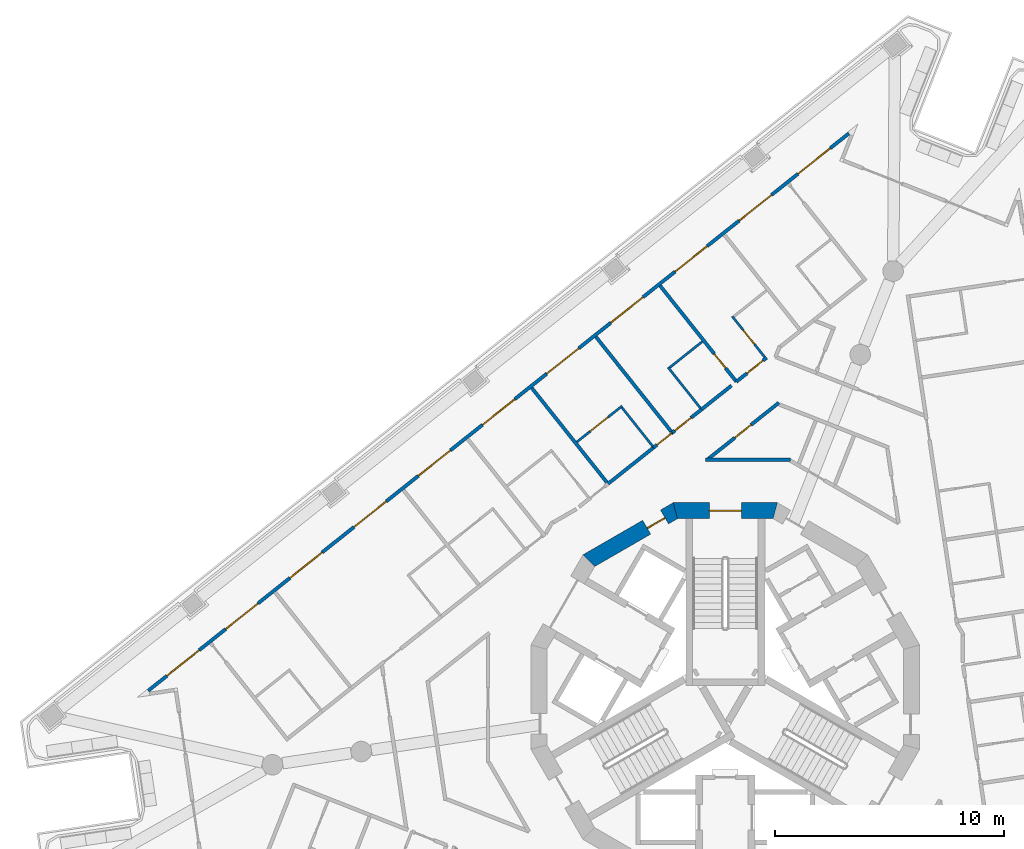
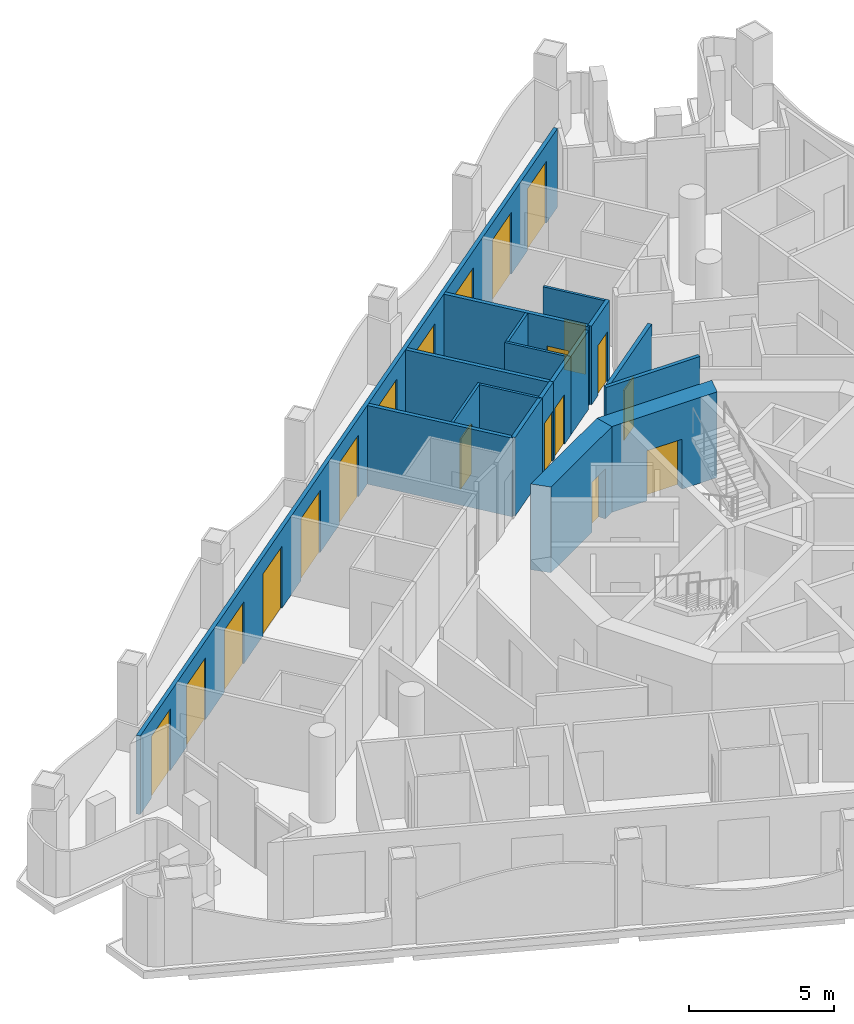
# One storey, part 8 of 17: 20 doors, 18 walls, 20 openings.
"""IFC4 building model written with IfcOpenShell, lengths in metres."""

from ifc_helpers import new_model, si_unit, direction, frame, frame_2d, origin, place, context, subcontext, project, spatial, polyline, rectangle, outline, extrude, material, layer, layer_set, type_object, element, fill, save


model = new_model("IFC4")

# Units and contexts
model_context = context("Model", 3, precision=1e-05, world=origin(), true_north=direction((0.0, 1.0)))
body_context = subcontext(model_context, "Body", "Model", "MODEL_VIEW")
ifc_project = project(units=[si_unit("LENGTHUNIT", "METRE"), si_unit("AREAUNIT", "SQUARE_METRE"), si_unit("VOLUMEUNIT", "CUBIC_METRE"), si_unit("PLANEANGLEUNIT", "RADIAN"), si_unit("MASSUNIT", "GRAM", prefix="KILO")], contexts=[model_context])

# Site, building, storey
site_placement = place(None, origin())
site = spatial("IfcSite", under=ifc_project, at=site_placement, CompositionType="ELEMENT")
building_placement = place(site_placement, origin())
building = spatial("IfcBuilding", under=site, at=building_placement, Name="Trine Commons Tower", CompositionType="ELEMENT")
storey_placement = place(building_placement, frame((0.0, 0.0, 212.39990234375)))
storey = spatial("IfcBuildingStorey", under=building, at=storey_placement, Name="L55", CompositionType="ELEMENT", Elevation=212.39990234375)

# Wall, openings, doors
ifc_material_1 = material(Name="Aluminium-framed insulated wall panel", Category="aluminium")
ifc_layer_1 = layer(ifc_material_1, 0.14990234375)
ifc_layer_set_1 = layer_set([ifc_layer_1], Name="Aluminium-framed insulated wall panel")
wall_type_1 = type_object("IfcWallType", Name="Glazed frame wall 150, EI 60", PredefinedType="SOLIDWALL", material=ifc_layer_set_1)
wall_1_placement = place(storey_placement, frame((54.650634765625, 62.685546875, 0.0), z_axis=(0.0, 0.0, 1.0), x_axis=(0.782609620341, 0.622512796776, 0.0)))
wall_1 = element("IfcWall", 1, at=wall_1_placement, inside=storey, type_object=wall_type_1, Name="Glazed frame wall F1", PredefinedType="SOLIDWALL", context=body_context, shape_type="SweptSolid", body=[
    extrude(outline(polyline([(0.1494140625, 0.074951171875), (0.1494140625, -0.074951171875), (39.296875, -0.074951171875), (39.296875, 0.074951171875), (0.1494140625, 0.074951171875)])), origin(), (0.0, 0.0, 1.0), 3.300048828125),
])
opening_1_placement = place(wall_1_placement, frame((1.193115234375, 0.0, 0.0)))
opening_1 = element("IfcOpeningElement", 2, at=opening_1_placement, cuts=wall_1, Name="Opening BD-6F1-01", PredefinedType="OPENING", context=body_context, shape_type="SweptSolid", body=[
    extrude(rectangle(XDim=1.800048828125, YDim=2.60009765625, at=frame_2d((0.89990234375, 1.300048828125))), frame((0.0, 0.0849609375, 0.0), z_axis=(0.0, -1.0, 0.0), x_axis=(1.0, 0.0, 0.0)), (0.0, 0.0, 1.0), 0.169921875),
])
opening_2_placement = place(wall_1_placement, frame((4.47900390625, 0.0, 0.0)))
opening_2 = element("IfcOpeningElement", 3, at=opening_2_placement, cuts=wall_1, Name="Opening BD-6F1-02", PredefinedType="OPENING", context=body_context, shape_type="SweptSolid", body=[
    extrude(rectangle(XDim=1.800048828125, YDim=2.60009765625, at=frame_2d((0.89990234375, 1.300048828125))), frame((0.0, 0.0849609375, 0.0), z_axis=(0.0, -1.0, 0.0), x_axis=(1.0, 0.0, 0.0)), (0.0, 0.0, 1.0), 0.169921875),
])
opening_3_placement = place(wall_1_placement, frame((8.06494140625, 0.0, 0.0)))
opening_3 = element("IfcOpeningElement", 4, at=opening_3_placement, cuts=wall_1, Name="Opening BD-6F1-03", PredefinedType="OPENING", context=body_context, shape_type="SweptSolid", body=[
    extrude(rectangle(XDim=1.800048828125, YDim=2.60009765625, at=frame_2d((0.89990234375, 1.300048828125))), frame((0.0, 0.0849609375, 0.0), z_axis=(0.0, -1.0, 0.0), x_axis=(1.0, 0.0, 0.0)), (0.0, 0.0, 1.0), 0.169921875),
])
opening_4_placement = place(wall_1_placement, frame((11.65087890625, 0.0, 0.0)))
opening_4 = element("IfcOpeningElement", 5, at=opening_4_placement, cuts=wall_1, Name="Opening BD-6F1-04", PredefinedType="OPENING", context=body_context, shape_type="SweptSolid", body=[
    extrude(rectangle(XDim=1.800048828125, YDim=2.60009765625, at=frame_2d((0.89990234375, 1.300048828125))), frame((0.0, 0.0849609375, 0.0), z_axis=(0.0, -1.0, 0.0), x_axis=(1.0, 0.0, 0.0)), (0.0, 0.0, 1.0), 0.169921875),
])
opening_5_placement = place(wall_1_placement, frame((15.237060546875, 0.0, 0.0)))
opening_5 = element("IfcOpeningElement", 6, at=opening_5_placement, cuts=wall_1, Name="Opening BD-6F1-05", PredefinedType="OPENING", context=body_context, shape_type="SweptSolid", body=[
    extrude(rectangle(XDim=1.800048828125, YDim=2.60009765625, at=frame_2d((0.89990234375, 1.300048828125))), frame((0.0, 0.0849609375, 0.0), z_axis=(0.0, -1.0, 0.0), x_axis=(1.0, 0.0, 0.0)), (0.0, 0.0, 1.0), 0.169921875),
])
opening_6_placement = place(wall_1_placement, frame((18.822998046875, 0.0, 0.0)))
opening_6 = element("IfcOpeningElement", 7, at=opening_6_placement, cuts=wall_1, Name="Opening BD-6F1-06", PredefinedType="OPENING", context=body_context, shape_type="SweptSolid", body=[
    extrude(rectangle(XDim=1.800048828125, YDim=2.60009765625, at=frame_2d((0.89990234375, 1.300048828125))), frame((0.0, 0.0849609375, 0.0), z_axis=(0.0, -1.0, 0.0), x_axis=(1.0, 0.0, 0.0)), (0.0, 0.0, 1.0), 0.169921875),
])
opening_7_placement = place(wall_1_placement, frame((22.408935546875, 0.0, 0.0)))
opening_7 = element("IfcOpeningElement", 8, at=opening_7_placement, cuts=wall_1, Name="Opening BD-6F1-07", PredefinedType="OPENING", context=body_context, shape_type="SweptSolid", body=[
    extrude(rectangle(XDim=1.800048828125, YDim=2.60009765625, at=frame_2d((0.89990234375, 1.300048828125))), frame((0.0, 0.0849609375, 0.0), z_axis=(0.0, -1.0, 0.0), x_axis=(1.0, 0.0, 0.0)), (0.0, 0.0, 1.0), 0.169921875),
])
opening_8_placement = place(wall_1_placement, frame((25.9951171875, 0.0, 0.0)))
opening_8 = element("IfcOpeningElement", 9, at=opening_8_placement, cuts=wall_1, Name="Opening BD-6F1-08", PredefinedType="OPENING", context=body_context, shape_type="SweptSolid", body=[
    extrude(rectangle(XDim=1.800048828125, YDim=2.60009765625, at=frame_2d((0.89990234375, 1.300048828125))), frame((0.0, 0.0849609375, 0.0), z_axis=(0.0, -1.0, 0.0), x_axis=(1.0, 0.0, 0.0)), (0.0, 0.0, 1.0), 0.169921875),
])
opening_9_placement = place(wall_1_placement, frame((29.5810546875, 0.0, 0.0)))
opening_9 = element("IfcOpeningElement", 10, at=opening_9_placement, cuts=wall_1, Name="Opening BD-6F1-09", PredefinedType="OPENING", context=body_context, shape_type="SweptSolid", body=[
    extrude(rectangle(XDim=1.800048828125, YDim=2.60009765625, at=frame_2d((0.89990234375, 1.300048828125))), frame((0.0, 0.0849609375, 0.0), z_axis=(0.0, -1.0, 0.0), x_axis=(1.0, 0.0, 0.0)), (0.0, 0.0, 1.0), 0.169921875),
])
opening_10_placement = place(wall_1_placement, frame((33.1669921875, 0.0, 0.0)))
opening_10 = element("IfcOpeningElement", 11, at=opening_10_placement, cuts=wall_1, Name="Opening BD-6F1-10", PredefinedType="OPENING", context=body_context, shape_type="SweptSolid", body=[
    extrude(rectangle(XDim=1.800048828125, YDim=2.60009765625, at=frame_2d((0.89990234375, 1.300048828125))), frame((0.0, 0.0849609375, 0.0), z_axis=(0.0, -1.0, 0.0), x_axis=(1.0, 0.0, 0.0)), (0.0, 0.0, 1.0), 0.169921875),
])
opening_11_placement = place(wall_1_placement, frame((36.452880859375, 0.0, 0.0)))
opening_11 = element("IfcOpeningElement", 12, at=opening_11_placement, cuts=wall_1, Name="Opening BD-6F1-11", PredefinedType="OPENING", context=body_context, shape_type="SweptSolid", body=[
    extrude(rectangle(XDim=1.800048828125, YDim=2.60009765625, at=frame_2d((0.89990234375, 1.300048828125))), frame((0.0, 0.0849609375, 0.0), z_axis=(0.0, -1.0, 0.0), x_axis=(1.0, 0.0, 0.0)), (0.0, 0.0, 1.0), 0.169921875),
])
ifc_material_2 = material(Name="Anodised aluminium frame with double glazing", Category="aluminium")
door_type_1 = type_object("IfcDoorType", Name="Sliding loggia door 1800x2600", OperationType="SLIDING_TO_LEFT", PredefinedType="DOOR", material=ifc_material_2)
door_1_placement = place(opening_1_placement, origin())
door_1 = element("IfcDoor", 13, at=door_1_placement, inside=storey, type_object=door_type_1, Name="Loggia door F1 1", OperationType="SLIDING_TO_LEFT", OverallHeight=2.60009765625, OverallWidth=1.800048828125, PredefinedType="DOOR", context=body_context, shape_type="SweptSolid", body=[
    extrude(rectangle(XDim=1.800048828125, YDim=2.60009765625, at=frame_2d((0.89990234375, 1.300048828125))), frame((0.0, 0.02490234375, 0.0), z_axis=(0.0, -1.0, 0.0), x_axis=(1.0, 0.0, 0.0)), (0.0, 0.0, 1.0), 0.050048828125),
])
fill(opening_1, door_1)
door_2_placement = place(opening_2_placement, origin())
door_2 = element("IfcDoor", 14, at=door_2_placement, inside=storey, type_object=door_type_1, Name="Loggia door F1 2", OperationType="SLIDING_TO_LEFT", OverallHeight=2.60009765625, OverallWidth=1.800048828125, PredefinedType="DOOR", context=body_context, shape_type="SweptSolid", body=[
    extrude(rectangle(XDim=1.800048828125, YDim=2.60009765625, at=frame_2d((0.89990234375, 1.300048828125))), frame((0.0, 0.02490234375, 0.0), z_axis=(0.0, -1.0, 0.0), x_axis=(1.0, 0.0, 0.0)), (0.0, 0.0, 1.0), 0.050048828125),
])
fill(opening_2, door_2)
door_3_placement = place(opening_3_placement, origin())
door_3 = element("IfcDoor", 15, at=door_3_placement, inside=storey, type_object=door_type_1, Name="Loggia door F1 3", OperationType="SLIDING_TO_LEFT", OverallHeight=2.60009765625, OverallWidth=1.800048828125, PredefinedType="DOOR", context=body_context, shape_type="SweptSolid", body=[
    extrude(rectangle(XDim=1.800048828125, YDim=2.60009765625, at=frame_2d((0.89990234375, 1.300048828125))), frame((0.0, 0.02490234375, 0.0), z_axis=(0.0, -1.0, 0.0), x_axis=(1.0, 0.0, 0.0)), (0.0, 0.0, 1.0), 0.050048828125),
])
fill(opening_3, door_3)
door_4_placement = place(opening_4_placement, origin())
door_4 = element("IfcDoor", 16, at=door_4_placement, inside=storey, type_object=door_type_1, Name="Loggia door F1 4", OperationType="SLIDING_TO_LEFT", OverallHeight=2.60009765625, OverallWidth=1.800048828125, PredefinedType="DOOR", context=body_context, shape_type="SweptSolid", body=[
    extrude(rectangle(XDim=1.800048828125, YDim=2.60009765625, at=frame_2d((0.89990234375, 1.300048828125))), frame((0.0, 0.02490234375, 0.0), z_axis=(0.0, -1.0, 0.0), x_axis=(1.0, 0.0, 0.0)), (0.0, 0.0, 1.0), 0.050048828125),
])
fill(opening_4, door_4)
door_5_placement = place(opening_5_placement, origin())
door_5 = element("IfcDoor", 17, at=door_5_placement, inside=storey, type_object=door_type_1, Name="Loggia door F1 5", OperationType="SLIDING_TO_LEFT", OverallHeight=2.60009765625, OverallWidth=1.800048828125, PredefinedType="DOOR", context=body_context, shape_type="SweptSolid", body=[
    extrude(rectangle(XDim=1.800048828125, YDim=2.60009765625, at=frame_2d((0.89990234375, 1.300048828125))), frame((0.0, 0.02490234375, 0.0), z_axis=(0.0, -1.0, 0.0), x_axis=(1.0, 0.0, 0.0)), (0.0, 0.0, 1.0), 0.050048828125),
])
fill(opening_5, door_5)
door_6_placement = place(opening_6_placement, origin())
door_6 = element("IfcDoor", 18, at=door_6_placement, inside=storey, type_object=door_type_1, Name="Loggia door F1 6", OperationType="SLIDING_TO_LEFT", OverallHeight=2.60009765625, OverallWidth=1.800048828125, PredefinedType="DOOR", context=body_context, shape_type="SweptSolid", body=[
    extrude(rectangle(XDim=1.800048828125, YDim=2.60009765625, at=frame_2d((0.89990234375, 1.300048828125))), frame((0.0, 0.02490234375, 0.0), z_axis=(0.0, -1.0, 0.0), x_axis=(1.0, 0.0, 0.0)), (0.0, 0.0, 1.0), 0.050048828125),
])
fill(opening_6, door_6)
door_7_placement = place(opening_7_placement, origin())
door_7 = element("IfcDoor", 19, at=door_7_placement, inside=storey, type_object=door_type_1, Name="Loggia door F1 7", OperationType="SLIDING_TO_LEFT", OverallHeight=2.60009765625, OverallWidth=1.800048828125, PredefinedType="DOOR", context=body_context, shape_type="SweptSolid", body=[
    extrude(rectangle(XDim=1.800048828125, YDim=2.60009765625, at=frame_2d((0.89990234375, 1.300048828125))), frame((0.0, 0.02490234375, 0.0), z_axis=(0.0, -1.0, 0.0), x_axis=(1.0, 0.0, 0.0)), (0.0, 0.0, 1.0), 0.050048828125),
])
fill(opening_7, door_7)
door_8_placement = place(opening_8_placement, origin())
door_8 = element("IfcDoor", 20, at=door_8_placement, inside=storey, type_object=door_type_1, Name="Loggia door F1 8", OperationType="SLIDING_TO_LEFT", OverallHeight=2.60009765625, OverallWidth=1.800048828125, PredefinedType="DOOR", context=body_context, shape_type="SweptSolid", body=[
    extrude(rectangle(XDim=1.800048828125, YDim=2.60009765625, at=frame_2d((0.89990234375, 1.300048828125))), frame((0.0, 0.02490234375, 0.0), z_axis=(0.0, -1.0, 0.0), x_axis=(1.0, 0.0, 0.0)), (0.0, 0.0, 1.0), 0.050048828125),
])
fill(opening_8, door_8)
door_9_placement = place(opening_9_placement, origin())
door_9 = element("IfcDoor", 21, at=door_9_placement, inside=storey, type_object=door_type_1, Name="Loggia door F1 9", OperationType="SLIDING_TO_LEFT", OverallHeight=2.60009765625, OverallWidth=1.800048828125, PredefinedType="DOOR", context=body_context, shape_type="SweptSolid", body=[
    extrude(rectangle(XDim=1.800048828125, YDim=2.60009765625, at=frame_2d((0.89990234375, 1.300048828125))), frame((0.0, 0.02490234375, 0.0), z_axis=(0.0, -1.0, 0.0), x_axis=(1.0, 0.0, 0.0)), (0.0, 0.0, 1.0), 0.050048828125),
])
fill(opening_9, door_9)
door_10_placement = place(opening_10_placement, origin())
door_10 = element("IfcDoor", 22, at=door_10_placement, inside=storey, type_object=door_type_1, Name="Loggia door F1 10", OperationType="SLIDING_TO_LEFT", OverallHeight=2.60009765625, OverallWidth=1.800048828125, PredefinedType="DOOR", context=body_context, shape_type="SweptSolid", body=[
    extrude(rectangle(XDim=1.800048828125, YDim=2.60009765625, at=frame_2d((0.89990234375, 1.300048828125))), frame((0.0, 0.02490234375, 0.0), z_axis=(0.0, -1.0, 0.0), x_axis=(1.0, 0.0, 0.0)), (0.0, 0.0, 1.0), 0.050048828125),
])
fill(opening_10, door_10)
door_11_placement = place(opening_11_placement, origin())
door_11 = element("IfcDoor", 23, at=door_11_placement, inside=storey, type_object=door_type_1, Name="Loggia door F1 11", OperationType="SLIDING_TO_LEFT", OverallHeight=2.60009765625, OverallWidth=1.800048828125, PredefinedType="DOOR", context=body_context, shape_type="SweptSolid", body=[
    extrude(rectangle(XDim=1.800048828125, YDim=2.60009765625, at=frame_2d((0.89990234375, 1.300048828125))), frame((0.0, 0.02490234375, 0.0), z_axis=(0.0, -1.0, 0.0), x_axis=(1.0, 0.0, 0.0)), (0.0, 0.0, 1.0), 0.050048828125),
])
fill(opening_11, door_11)

# Wall, opening, door
ifc_material_3 = material(Name="Concrete C60/75", Category="concrete")
ifc_layer_2 = layer(ifc_material_3, 0.699951171875)
ifc_layer_set_2 = layer_set([ifc_layer_2], Name="Concrete C60/75")
wall_type_2 = type_object("IfcWallType", Name="RC shear wall 700 mm, C60/75", PredefinedType="SHEAR", material=ifc_layer_set_2)
wall_2_placement = place(storey_placement, frame((82.277587890625, 70.650146484375, 0.0), z_axis=(0.0, 0.0, 1.0), x_axis=(-1.0, 0.0, 0.0)))
wall_2 = element("IfcWall", 24, at=wall_2_placement, inside=storey, type_object=wall_type_2, Name="Core wall CWF-04 L55", PredefinedType="SHEAR", context=body_context, shape_type="SweptSolid", body=[
    extrude(outline(polyline([(0.0, -0.35009765625), (4.55517578125, -0.35009765625), (4.36767578125, 0.35009765625), (0.1875, 0.35009765625), (0.0, -0.35009765625)])), origin(), (0.0, 0.0, 1.0), 3.60009765625),
])
opening_12_placement = place(wall_2_placement, frame((1.57763671875, 0.0, 0.0)))
opening_12 = element("IfcOpeningElement", 25, at=opening_12_placement, cuts=wall_2, Name="Opening K15.01", PredefinedType="OPENING", context=body_context, shape_type="SweptSolid", body=[
    extrude(rectangle(XDim=1.39990234375, YDim=2.10009765625, at=frame_2d((0.699951171875, 1.050048828125))), frame((0.0, 0.35986328125, 0.0), z_axis=(0.0, -1.0, 0.0), x_axis=(1.0, 0.0, 0.0)), (0.0, 0.0, 1.0), 0.719970703125),
])
ifc_material_4 = material(Name="Steel door leaves, fire-rated", Category="steel")
door_type_2 = type_object("IfcDoorType", Name="Stair door, double leaf 1400 x 2100, FD90", OperationType="DOUBLE_DOOR_SINGLE_SWING", PredefinedType="DOOR", material=ifc_material_4)
door_12_placement = place(opening_12_placement, origin())
door_12 = element("IfcDoor", 26, at=door_12_placement, inside=storey, type_object=door_type_2, Name="Stair door to Exit stair ST1C L55", OperationType="DOUBLE_DOOR_SINGLE_SWING", OverallHeight=2.10009765625, OverallWidth=1.39990234375, PredefinedType="DOOR", context=body_context, shape_type="SweptSolid", body=[
    extrude(rectangle(XDim=1.39990234375, YDim=2.10009765625, at=frame_2d((0.699951171875, 1.050048828125))), frame((0.0, 0.02490234375, 0.0), z_axis=(0.0, -1.0, 0.0), x_axis=(1.0, 0.0, 0.0)), (0.0, 0.0, 1.0), 0.050048828125),
])
fill(opening_12, door_12)

wall_3_placement = place(storey_placement, frame((77.8974609375, 70.697021484375, 0.0), z_axis=(0.0, 0.0, 1.0), x_axis=(-0.866034756103, -0.499983800959, 0.0)))
wall_3 = element("IfcWall", 27, at=wall_3_placement, inside=storey, type_object=wall_type_2, Name="Core wall CWF-05 L55", PredefinedType="SHEAR", context=body_context, shape_type="SweptSolid", body=[
    extrude(outline(polyline([(0.0, -0.35009765625), (4.55517578125, -0.35009765625), (4.36767578125, 0.35009765625), (0.1875, 0.35009765625), (0.0, -0.35009765625)])), origin(), (0.0, 0.0, 1.0), 3.60009765625),
])
opening_13_placement = place(wall_3_placement, frame((0.641845703125, 0.0, 0.0)))
opening_13 = element("IfcOpeningElement", 28, at=opening_13_placement, cuts=wall_3, Name="Opening K15.15", PredefinedType="OPENING", context=body_context, shape_type="SweptSolid", body=[
    extrude(rectangle(XDim=0.89990234375, YDim=2.10009765625, at=frame_2d((0.449951171875, 1.050048828125))), frame((0.0, 0.35986328125, 0.0), z_axis=(0.0, -1.0, 0.0), x_axis=(1.0, 0.0, 0.0)), (0.0, 0.0, 1.0), 0.719970703125),
])
ifc_material_5 = material(Name="Steel door leaf, fire-rated", Category="steel")
door_type_3 = type_object("IfcDoorType", Name="Core room door, single leaf 900 x 2100, FD30S", OperationType="SINGLE_SWING_LEFT", PredefinedType="DOOR", material=ifc_material_5)
door_13_placement = place(opening_13_placement, origin())
door_13 = element("IfcDoor", 29, at=door_13_placement, inside=storey, type_object=door_type_3, Name="Door to Accessible WC L55", OperationType="SINGLE_SWING_LEFT", OverallHeight=2.10009765625, OverallWidth=0.89990234375, PredefinedType="DOOR", context=body_context, shape_type="SweptSolid", body=[
    extrude(rectangle(XDim=0.89990234375, YDim=2.10009765625, at=frame_2d((0.449951171875, 1.050048828125))), frame((0.0, 0.0751953125, 0.0), z_axis=(0.0, -1.0, 0.0), x_axis=(1.0, 0.0, 0.0)), (0.0, 0.0, 1.0), 0.050048828125),
])
fill(opening_13, door_13)

# Walls
ifc_material_6 = material(Name="Gypsum plasterboard on steel stud", Category="steel")
ifc_layer_3 = layer(ifc_material_6, 0.14990234375)
ifc_layer_set_3 = layer_set([ifc_layer_3], Name="Gypsum plasterboard on steel stud")
wall_type_3 = type_object("IfcWallType", Name="Unit and corridor wall 150 mm, EI 60", PredefinedType="PARTITIONING", material=ifc_layer_set_3)
wall_4_placement = place(storey_placement, frame((71.535888671875, 76.020751953125, 0.0), z_axis=(0.0, 0.0, 1.0), x_axis=(0.622565407695, -0.782567769041, 0.0)))
element("IfcWall", 30, at=wall_4_placement, inside=storey, type_object=wall_type_3, Name="Partition 037", PredefinedType="PARTITIONING", context=body_context, shape_type="SweptSolid", body=[
    extrude(rectangle(XDim=5.3603515625, YDim=0.14990234375, at=frame_2d((2.68017578125, 0.0))), origin(), (0.0, 0.0, 1.0), 3.300048828125),
])
wall_5_placement = place(storey_placement, frame((74.343017578125, 78.252685546875, 0.0), z_axis=(0.0, 0.0, 1.0), x_axis=(0.622444463897, -0.782663969634, 0.0)))
element("IfcWall", 31, at=wall_5_placement, inside=storey, type_object=wall_type_3, Name="Partition 047", PredefinedType="PARTITIONING", context=body_context, shape_type="SweptSolid", body=[
    extrude(rectangle(XDim=5.284423828125, YDim=0.14990234375, at=frame_2d((2.64208984375, 0.0))), origin(), (0.0, 0.0, 1.0), 3.300048828125),
])
wall_6_placement = place(storey_placement, frame((74.8701171875, 71.823974609375, 0.0), z_axis=(0.0, 0.0, 1.0), x_axis=(0.782719471112, 0.622374669746, 0.0)))
element("IfcWall", 32, at=wall_6_placement, inside=storey, type_object=wall_type_3, Name="Partition 048", PredefinedType="PARTITIONING", context=body_context, shape_type="SweptSolid", body=[
    extrude(rectangle(XDim=2.556396484375, YDim=0.14990234375, at=frame_2d((1.2783203125, 0.0))), origin(), (0.0, 0.0, 1.0), 3.300048828125),
])

# Wall, opening, door
wall_7_placement = place(storey_placement, frame((76.864990234375, 73.410888671875, 0.0), z_axis=(0.0, 0.0, 1.0), x_axis=(0.782896309119, 0.622152207396, 0.0)))
wall_7 = element("IfcWall", 33, at=wall_7_placement, inside=storey, type_object=wall_type_3, Name="Partition 052", PredefinedType="PARTITIONING", context=body_context, shape_type="SweptSolid", body=[
    extrude(rectangle(XDim=1.04345703125, YDim=0.14990234375, at=frame_2d((0.521728515625, 0.0))), origin(), (0.0, 0.0, 1.0), 3.300048828125),
])
opening_14_placement = place(wall_7_placement, frame((0.189697265625, 0.0, 0.0)))
opening_14 = element("IfcOpeningElement", 34, at=opening_14_placement, cuts=wall_7, Name="Opening D-6B09", PredefinedType="OPENING", context=body_context, shape_type="SweptSolid", body=[
    extrude(rectangle(XDim=0.800048828125, YDim=2.10009765625, at=frame_2d((0.39990234375, 1.050048828125))), frame((0.0, 0.0849609375, 0.0), z_axis=(0.0, -1.0, 0.0), x_axis=(1.0, 0.0, 0.0)), (0.0, 0.0, 1.0), 0.169921875),
])
ifc_material_7 = material(Name="Timber fire door set", Category="wood")
door_type_4 = type_object("IfcDoorType", Name="Bedroom door 800 x 2100, FD30S", OperationType="NOTDEFINED", PredefinedType="DOOR", material=ifc_material_7)
door_14_placement = place(opening_14_placement, origin())
door_14 = element("IfcDoor", 35, at=door_14_placement, inside=storey, type_object=door_type_4, Name="Door D-6B09", OperationType="SINGLE_SWING_RIGHT", OverallHeight=2.10009765625, OverallWidth=0.800048828125, PredefinedType="DOOR", context=body_context, shape_type="SweptSolid", body=[
    extrude(rectangle(XDim=0.800048828125, YDim=2.10009765625, at=frame_2d((0.39990234375, 1.050048828125))), frame((0.0, 0.02490234375, 0.0), z_axis=(0.0, -1.0, 0.0), x_axis=(1.0, 0.0, 0.0)), (0.0, 0.0, 1.0), 0.050048828125),
])
fill(opening_14, door_14)

wall_8_placement = place(storey_placement, frame((77.14892578125, 80.485595703125, 0.0), z_axis=(0.0, 0.0, 1.0), x_axis=(0.622587598128, -0.782550115109, 0.0)))
wall_8 = element("IfcWall", 36, at=wall_8_placement, inside=storey, type_object=wall_type_3, Name="Partition 055", PredefinedType="PARTITIONING", context=body_context, shape_type="SweptSolid", body=[
    extrude(rectangle(XDim=5.360107421875, YDim=0.14990234375, at=frame_2d((2.68017578125, 0.0))), origin(), (0.0, 0.0, 1.0), 3.300048828125),
])
opening_15_placement = place(wall_8_placement, frame((3.81005859375, 0.0, 0.0)))
opening_15 = element("IfcOpeningElement", 37, at=opening_15_placement, cuts=wall_8, Name="Opening D-6B40", PredefinedType="OPENING", context=body_context, shape_type="SweptSolid", body=[
    extrude(rectangle(XDim=0.800048828125, YDim=2.10009765625, at=frame_2d((0.39990234375, 1.050048828125))), frame((0.0, 0.0849609375, 0.0), z_axis=(0.0, -1.0, 0.0), x_axis=(1.0, 0.0, 0.0)), (0.0, 0.0, 1.0), 0.169921875),
])
ifc_material_8 = material(Name="Painted timber", Category="wood")
door_type_5 = type_object("IfcDoorType", Name="Internal door 800 x 2100, NOT RATED", OperationType="NOTDEFINED", PredefinedType="DOOR", material=ifc_material_8)
door_15_placement = place(opening_15_placement, origin())
door_15 = element("IfcDoor", 38, at=door_15_placement, inside=storey, type_object=door_type_5, Name="Door D-6B40", OperationType="SINGLE_SWING_RIGHT", OverallHeight=2.10009765625, OverallWidth=0.800048828125, PredefinedType="DOOR", context=body_context, shape_type="SweptSolid", body=[
    extrude(rectangle(XDim=0.800048828125, YDim=2.10009765625, at=frame_2d((0.39990234375, 1.050048828125))), frame((0.0, 0.02490234375, 0.0), z_axis=(0.0, -1.0, 0.0), x_axis=(1.0, 0.0, 0.0)), (0.0, 0.0, 1.0), 0.050048828125),
])
fill(opening_15, door_15)

wall_9_placement = place(storey_placement, frame((77.676025390625, 74.055908203125, 0.0), z_axis=(0.0, 0.0, 1.0), x_axis=(0.782734219596, 0.622356121102, 0.0)))
wall_9 = element("IfcWall", 39, at=wall_9_placement, inside=storey, type_object=wall_type_3, Name="Partition 059", PredefinedType="PARTITIONING", context=body_context, shape_type="SweptSolid", body=[
    extrude(rectangle(XDim=1.64404296875, YDim=0.14990234375, at=frame_2d((0.822021484375, 0.0))), origin(), (0.0, 0.0, 1.0), 3.300048828125),
])
opening_16_placement = place(wall_9_placement, frame((0.153564453125, 0.0, 0.0)))
opening_16 = element("IfcOpeningElement", 40, at=opening_16_placement, cuts=wall_9, Name="Opening D-6B10", PredefinedType="OPENING", context=body_context, shape_type="SweptSolid", body=[
    extrude(rectangle(XDim=0.89990234375, YDim=2.10009765625, at=frame_2d((0.449951171875, 1.050048828125))), frame((0.0, 0.0849609375, 0.0), z_axis=(0.0, -1.0, 0.0), x_axis=(1.0, 0.0, 0.0)), (0.0, 0.0, 1.0), 0.169921875),
])
door_type_6 = type_object("IfcDoorType", Name="Bedroom door 900 x 2100, FD30S", OperationType="NOTDEFINED", PredefinedType="DOOR", material=ifc_material_7)
door_16_placement = place(opening_16_placement, origin())
door_16 = element("IfcDoor", 41, at=door_16_placement, inside=storey, type_object=door_type_6, Name="Door D-6B10", OperationType="SINGLE_SWING_LEFT", OverallHeight=2.10009765625, OverallWidth=0.89990234375, PredefinedType="DOOR", context=body_context, shape_type="SweptSolid", body=[
    extrude(rectangle(XDim=0.89990234375, YDim=2.10009765625, at=frame_2d((0.449951171875, 1.050048828125))), frame((0.0, 0.02490234375, 0.0), z_axis=(0.0, -1.0, 0.0), x_axis=(1.0, 0.0, 0.0)), (0.0, 0.0, 1.0), 0.050048828125),
])
fill(opening_16, door_16)

# Walls
wall_10_placement = place(storey_placement, frame((78.95703125, 75.074951171875, 0.0), z_axis=(0.0, 0.0, 1.0), x_axis=(0.782797783459, 0.622276168764, 0.0)))
element("IfcWall", 42, at=wall_10_placement, inside=storey, type_object=wall_type_3, Name="Partition 062", PredefinedType="PARTITIONING", context=body_context, shape_type="SweptSolid", body=[
    extrude(rectangle(XDim=1.676025390625, YDim=0.14990234375, at=frame_2d((0.837890625, 0.0))), origin(), (0.0, 0.0, 1.0), 3.300048828125),
])
wall_11_placement = place(storey_placement, frame((79.125, 72.875, 0.0), z_axis=(0.0, 0.0, 1.0), x_axis=(1.0, 0.0, 0.0)))
element("IfcWall", 43, at=wall_11_placement, inside=storey, type_object=wall_type_3, Name="Partition 064", PredefinedType="PARTITIONING", context=body_context, shape_type="SweptSolid", body=[
    extrude(rectangle(XDim=3.72998046875, YDim=0.14990234375, at=frame_2d((1.864990234375, 0.0))), origin(), (0.0, 0.0, 1.0), 3.300048828125),
])

# Wall, opening, door
wall_12_placement = place(storey_placement, frame((79.2626953125, 72.921630859375, 0.0), z_axis=(0.0, 0.0, 1.0), x_axis=(0.782518607784, 0.622627198629, 0.0)))
wall_12 = element("IfcWall", 44, at=wall_12_placement, inside=storey, type_object=wall_type_3, Name="Partition 065", PredefinedType="PARTITIONING", context=body_context, shape_type="SweptSolid", body=[
    extrude(rectangle(XDim=3.934814453125, YDim=0.14990234375, at=frame_2d((1.96728515625, 0.0))), origin(), (0.0, 0.0, 1.0), 3.300048828125),
])
opening_17_placement = place(wall_12_placement, frame((1.479736328125, 0.0, 0.0)))
opening_17 = element("IfcOpeningElement", 45, at=opening_17_placement, cuts=wall_12, Name="Opening D-6B30", PredefinedType="OPENING", context=body_context, shape_type="SweptSolid", body=[
    extrude(rectangle(XDim=0.89990234375, YDim=2.10009765625, at=frame_2d((0.449951171875, 1.050048828125))), frame((0.0, 0.0849609375, 0.0), z_axis=(0.0, -1.0, 0.0), x_axis=(1.0, 0.0, 0.0)), (0.0, 0.0, 1.0), 0.169921875),
])
door_type_7 = type_object("IfcDoorType", Name="Service door 900 x 2100, FD30S", OperationType="NOTDEFINED", PredefinedType="DOOR", material=ifc_material_7)
door_17_placement = place(opening_17_placement, frame((0.89990234375, 0.0, 0.0), z_axis=(0.0, 0.0, 1.0), x_axis=(-1.0, 0.0, 0.0)))
door_17 = element("IfcDoor", 46, at=door_17_placement, inside=storey, type_object=door_type_7, Name="Door D-6B30", OperationType="SINGLE_SWING_RIGHT", OverallHeight=2.10009765625, OverallWidth=0.89990234375, PredefinedType="DOOR", context=body_context, shape_type="SweptSolid", body=[
    extrude(rectangle(XDim=0.89990234375, YDim=2.10009765625, at=frame_2d((0.449951171875, 1.050048828125))), frame((0.0, 0.02490234375, 0.0), z_axis=(0.0, -1.0, 0.0), x_axis=(1.0, 0.0, 0.0)), (0.0, 0.0, 1.0), 0.050048828125),
])
fill(opening_17, door_17)

wall_13_placement = place(storey_placement, frame((80.48291015625, 76.2890625, 0.0), z_axis=(0.0, 0.0, 1.0), x_axis=(0.782933136701, 0.622105861936, 0.0)))
wall_13 = element("IfcWall", 47, at=wall_13_placement, inside=storey, type_object=wall_type_3, Name="Partition 070", PredefinedType="PARTITIONING", context=body_context, shape_type="SweptSolid", body=[
    extrude(rectangle(XDim=1.692626953125, YDim=0.14990234375, at=frame_2d((0.84619140625, 0.0))), origin(), (0.0, 0.0, 1.0), 3.300048828125),
])
opening_18_placement = place(wall_13_placement, frame((0.589111328125, 0.0, 0.0)))
opening_18 = element("IfcOpeningElement", 48, at=opening_18_placement, cuts=wall_13, Name="Opening D-6B11", PredefinedType="OPENING", context=body_context, shape_type="SweptSolid", body=[
    extrude(rectangle(XDim=0.89990234375, YDim=2.10009765625, at=frame_2d((0.449951171875, 1.050048828125))), frame((0.0, 0.0849609375, 0.0), z_axis=(0.0, -1.0, 0.0), x_axis=(1.0, 0.0, 0.0)), (0.0, 0.0, 1.0), 0.169921875),
])
door_18_placement = place(opening_18_placement, origin())
door_18 = element("IfcDoor", 49, at=door_18_placement, inside=storey, type_object=door_type_6, Name="Door D-6B11", OperationType="SINGLE_SWING_RIGHT", OverallHeight=2.10009765625, OverallWidth=0.89990234375, PredefinedType="DOOR", context=body_context, shape_type="SweptSolid", body=[
    extrude(rectangle(XDim=0.89990234375, YDim=2.10009765625, at=frame_2d((0.449951171875, 1.050048828125))), frame((0.0, 0.02490234375, 0.0), z_axis=(0.0, -1.0, 0.0), x_axis=(1.0, 0.0, 0.0)), (0.0, 0.0, 1.0), 0.050048828125),
])
fill(opening_18, door_18)

ifc_layer_4 = layer(ifc_material_6, 0.10009765625)
ifc_layer_set_4 = layer_set([ifc_layer_4], Name="Gypsum plasterboard on steel stud")
wall_type_4 = type_object("IfcWallType", Name="Unit partition 100 mm, no rating", PredefinedType="PARTITIONING", material=ifc_layer_set_4)
wall_14_placement = place(storey_placement, frame((73.51171875, 73.65673828125, 0.0), z_axis=(0.0, 0.0, 1.0), x_axis=(0.782563588738, 0.622570662319, 0.0)))
wall_14 = element("IfcWall", 50, at=wall_14_placement, inside=storey, type_object=wall_type_4, Name="Partition 044", PredefinedType="PARTITIONING", context=body_context, shape_type="SweptSolid", body=[
    extrude(rectangle(XDim=2.525390625, YDim=0.10009765625, at=frame_2d((1.2626953125, 0.0))), origin(), (0.0, 0.0, 1.0), 3.300048828125),
])
opening_19_placement = place(wall_14_placement, frame((0.73779296875, 0.0, 0.0)))
opening_19 = element("IfcOpeningElement", 51, at=opening_19_placement, cuts=wall_14, Name="Opening D-6B39", PredefinedType="OPENING", context=body_context, shape_type="SweptSolid", body=[
    extrude(rectangle(XDim=1.0, YDim=2.10009765625, at=frame_2d((0.5, 1.050048828125))), frame((0.0, 0.06005859375, 0.0), z_axis=(0.0, -1.0, 0.0), x_axis=(1.0, 0.0, 0.0)), (0.0, 0.0, 1.0), 0.1201171875),
])
door_type_8 = type_object("IfcDoorType", Name="Internal door 1000 x 2100, NOT RATED", OperationType="NOTDEFINED", PredefinedType="DOOR", material=ifc_material_8)
door_19_placement = place(opening_19_placement, origin())
door_19 = element("IfcDoor", 52, at=door_19_placement, inside=storey, type_object=door_type_8, Name="Door D-6B39", OperationType="SINGLE_SWING_LEFT", OverallHeight=2.10009765625, OverallWidth=1.0, PredefinedType="DOOR", context=body_context, shape_type="SweptSolid", body=[
    extrude(rectangle(XDim=1.0, YDim=2.10009765625, at=frame_2d((0.5, 1.050048828125))), frame((0.0, 0.02490234375, 0.0), z_axis=(0.0, -1.0, 0.0), x_axis=(1.0, 0.0, 0.0)), (0.0, 0.0, 1.0), 0.050048828125),
])
fill(opening_19, door_19)

# Walls
wall_15_placement = place(storey_placement, frame((75.47998046875, 75.158935546875, 0.0), z_axis=(0.0, 0.0, 1.0), x_axis=(0.622302604584, -0.782776767877, 0.0)))
element("IfcWall", 53, at=wall_15_placement, inside=storey, type_object=wall_type_4, Name="Partition 049", PredefinedType="PARTITIONING", context=body_context, shape_type="SweptSolid", body=[
    extrude(rectangle(XDim=2.230224609375, YDim=0.10009765625, at=frame_2d((1.115234375, 0.0))), origin(), (0.0, 0.0, 1.0), 3.300048828125),
])
wall_16_placement = place(storey_placement, frame((77.496826171875, 76.916015625, 0.0), z_axis=(0.0, 0.0, 1.0), x_axis=(0.622625135388, -0.78252024944, 0.0)))
element("IfcWall", 54, at=wall_16_placement, inside=storey, type_object=wall_type_4, Name="Partition 057", PredefinedType="PARTITIONING", context=body_context, shape_type="SweptSolid", body=[
    extrude(rectangle(XDim=2.275146484375, YDim=0.10009765625, at=frame_2d((1.1376953125, 0.0))), origin(), (0.0, 0.0, 1.0), 3.300048828125),
])
wall_17_placement = place(storey_placement, frame((77.567138671875, 76.908203125, 0.0), z_axis=(0.0, 0.0, 1.0), x_axis=(0.782627716851, 0.622490045557, 0.0)))
element("IfcWall", 55, at=wall_17_placement, inside=storey, type_object=wall_type_4, Name="Partition 058", PredefinedType="PARTITIONING", context=body_context, shape_type="SweptSolid", body=[
    extrude(rectangle(XDim=1.824951171875, YDim=0.10009765625, at=frame_2d((0.91259765625, 0.0))), origin(), (0.0, 0.0, 1.0), 3.300048828125),
])

# Wall, opening, door
wall_18_placement = place(storey_placement, frame((80.302978515625, 79.148193359375, 0.0), z_axis=(0.0, 0.0, 1.0), x_axis=(0.622507134747, -0.782614124067, 0.0)))
wall_18 = element("IfcWall", 56, at=wall_18_placement, inside=storey, type_object=wall_type_4, Name="Partition 068", PredefinedType="PARTITIONING", context=body_context, shape_type="SweptSolid", body=[
    extrude(rectangle(XDim=2.275146484375, YDim=0.10009765625, at=frame_2d((1.1376953125, 0.0))), origin(), (0.0, 0.0, 1.0), 3.300048828125),
])
opening_20_placement = place(wall_18_placement, frame((0.7626953125, 0.0, 0.0)))
opening_20 = element("IfcOpeningElement", 57, at=opening_20_placement, cuts=wall_18, Name="Opening D-6B41", PredefinedType="OPENING", context=body_context, shape_type="SweptSolid", body=[
    extrude(rectangle(XDim=0.800048828125, YDim=2.10009765625, at=frame_2d((0.39990234375, 1.050048828125))), frame((0.0, 0.06005859375, 0.0), z_axis=(0.0, -1.0, 0.0), x_axis=(1.0, 0.0, 0.0)), (0.0, 0.0, 1.0), 0.1201171875),
])
door_20_placement = place(opening_20_placement, frame((0.800048828125, 0.0, 0.0), z_axis=(0.0, 0.0, 1.0), x_axis=(-1.0, 0.0, 0.0)))
door_20 = element("IfcDoor", 58, at=door_20_placement, inside=storey, type_object=door_type_5, Name="Door D-6B41", OperationType="SINGLE_SWING_LEFT", OverallHeight=2.10009765625, OverallWidth=0.800048828125, PredefinedType="DOOR", context=body_context, shape_type="SweptSolid", body=[
    extrude(rectangle(XDim=0.800048828125, YDim=2.10009765625, at=frame_2d((0.39990234375, 1.050048828125))), frame((0.0, 0.02490234375, 0.0), z_axis=(0.0, -1.0, 0.0), x_axis=(1.0, 0.0, 0.0)), (0.0, 0.0, 1.0), 0.050048828125),
])
fill(opening_20, door_20)

save(model, "model.ifc")
